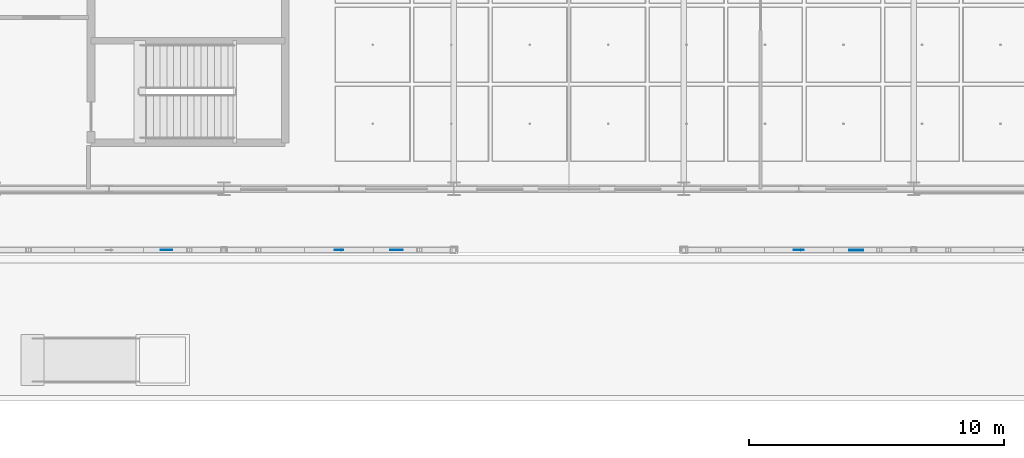
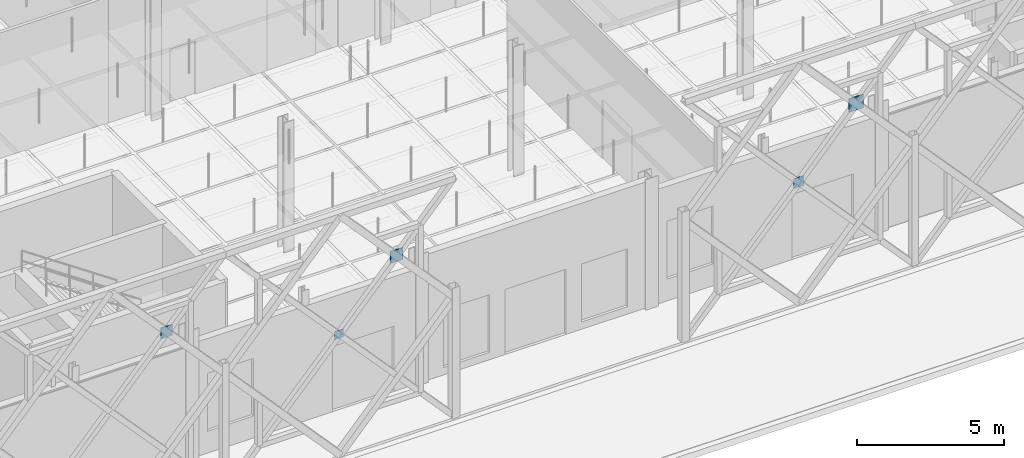
# One storey, part 81 of 180: 5 plates.
"""IFC4 building model written with IfcOpenShell, lengths in metres."""

from ifc_helpers import new_model, si_unit, direction, frame, origin, origin_2d, place, context, subcontext, project, spatial, rectangle, extrude, material, layer, layer_set, type_object, element, save


model = new_model("IFC4")

# Units and contexts
model_context = context("Model", 3, precision=1e-05, world=origin(), true_north=direction((0.0, 1.0)))
body_context = subcontext(model_context, "Body", "Model", "MODEL_VIEW")
ifc_project = project(units=[si_unit("LENGTHUNIT", "METRE"), si_unit("AREAUNIT", "SQUARE_METRE"), si_unit("VOLUMEUNIT", "CUBIC_METRE"), si_unit("PLANEANGLEUNIT", "RADIAN"), si_unit("MASSUNIT", "GRAM", prefix="KILO"), si_unit("THERMODYNAMICTEMPERATUREUNIT", "KELVIN"), si_unit("POWERUNIT", "WATT")], contexts=[model_context])

# Site, building, storey
site_placement = place(None, origin())
site = spatial("IfcSite", under=ifc_project, at=site_placement, CompositionType="ELEMENT")
building_placement = place(site_placement, origin())
building = spatial("IfcBuilding", under=site, at=building_placement, Name="Tallowbark Science Centre", CompositionType="ELEMENT")
storey_placement = place(building_placement, origin())
storey = spatial("IfcBuildingStorey", under=building, at=storey_placement, Name="L00", CompositionType="ELEMENT", Elevation=0.0)

# Plates
ifc_material = material(Name="Structural Steel Grade 300PLUS (300 MPa)", Category="steel")
ifc_layer_1 = layer(ifc_material, 0.013916015625)
ifc_layer_set_1 = layer_set([ifc_layer_1], Name="Structural Steel Grade 300PLUS (300 MPa)")
plate_type_1 = type_object("IfcPlateType", Name="PLT-GUS-14", PredefinedType="SHEET", material=ifc_layer_set_1)
plate_1_placement = place(storey_placement, frame((72.0, 2.10009765625, 4.77978515625), z_axis=(0.0, 0.0, 1.0), x_axis=(1.0, 0.0, 0.0)))
element("IfcPlate", 1, at=plate_1_placement, inside=storey, type_object=plate_type_1, Name="Star X-Brace Crossing Gusset Plate S-3", PredefinedType="SHEET", context=body_context, shape_type="SweptSolid", body=[
    extrude(rectangle(XDim=0.340087890625, YDim=0.013916015625, at=origin_2d()), origin(), (0.0, 0.0, 1.0), 0.340087890625),
])
ifc_layer_2 = layer(ifc_material, 0.02001953125)
ifc_layer_set_2 = layer_set([ifc_layer_2], Name="Structural Steel Grade 300PLUS (300 MPa)")
plate_type_2 = type_object("IfcPlateType", Name="PLT-GUS-20", PredefinedType="SHEET", material=ifc_layer_set_2)
plate_2_placement = place(storey_placement, frame((90.0, 2.10009765625, 4.75), z_axis=(0.0, 0.0, 1.0), x_axis=(1.0, 0.0, 0.0)))
element("IfcPlate", 2, at=plate_2_placement, inside=storey, type_object=plate_type_2, Name="Star X-Brace Crossing Gusset Plate S-6", PredefinedType="SHEET", context=body_context, shape_type="SweptSolid", body=[
    extrude(rectangle(XDim=0.39990234375, YDim=0.02001953125, at=origin_2d()), origin(), (0.0, 0.0, 1.0), 0.39990234375),
])
ifc_layer_3 = layer(ifc_material, 0.02587890625)
ifc_layer_set_3 = layer_set([ifc_layer_3], Name="Structural Steel Grade 300PLUS (300 MPa)")
plate_type_3 = type_object("IfcPlateType", Name="PLT-GUS-26", PredefinedType="SHEET", material=ifc_layer_set_3)
plate_3_placement = place(storey_placement, frame((65.25, 2.10009765625, 7.195068359375), z_axis=(0.0, 0.0, 1.0), x_axis=(1.0, 0.0, 0.0)))
element("IfcPlate", 3, at=plate_3_placement, inside=storey, type_object=plate_type_3, Name="Star Primary Chord Crossing Gusset Plate S-1", PredefinedType="SHEET", context=body_context, shape_type="SweptSolid", body=[
    extrude(rectangle(XDim=0.4599609375, YDim=0.02587890625, at=origin_2d()), origin(), (0.0, 0.0, 1.0), 0.4599609375),
])
ifc_layer_4 = layer(ifc_material, 0.030029296875)
ifc_layer_set_4 = layer_set([ifc_layer_4], Name="Structural Steel Grade 300PLUS (300 MPa)")
plate_type_4 = type_object("IfcPlateType", Name="PLT-GUS-30", PredefinedType="SHEET", material=ifc_layer_set_4)
plate_4_placement = place(storey_placement, frame((74.25, 2.10009765625, 7.175048828125), z_axis=(0.0, 0.0, 1.0), x_axis=(1.0, 0.0, 0.0)))
element("IfcPlate", 4, at=plate_4_placement, inside=storey, type_object=plate_type_4, Name="Star Primary Chord Crossing Gusset Plate S-3", PredefinedType="SHEET", context=body_context, shape_type="SweptSolid", body=[
    extrude(rectangle(XDim=0.5, YDim=0.030029296875, at=origin_2d()), origin(), (0.0, 0.0, 1.0), 0.5),
])
ifc_layer_5 = layer(ifc_material, 0.035888671875)
ifc_layer_set_5 = layer_set([ifc_layer_5], Name="Structural Steel Grade 300PLUS (300 MPa)")
plate_type_5 = type_object("IfcPlateType", Name="PLT-GUS-36", PredefinedType="SHEET", material=ifc_layer_set_5)
plate_5_placement = place(storey_placement, frame((92.25, 2.10009765625, 7.14501953125), z_axis=(0.0, 0.0, 1.0), x_axis=(1.0, 0.0, 0.0)))
element("IfcPlate", 5, at=plate_5_placement, inside=storey, type_object=plate_type_5, Name="Star Primary Chord Crossing Gusset Plate S-6", PredefinedType="SHEET", context=body_context, shape_type="SweptSolid", body=[
    extrude(rectangle(XDim=0.56005859375, YDim=0.035888671875, at=origin_2d()), origin(), (0.0, 0.0, 1.0), 0.56005859375),
])

save(model, "model.ifc")
